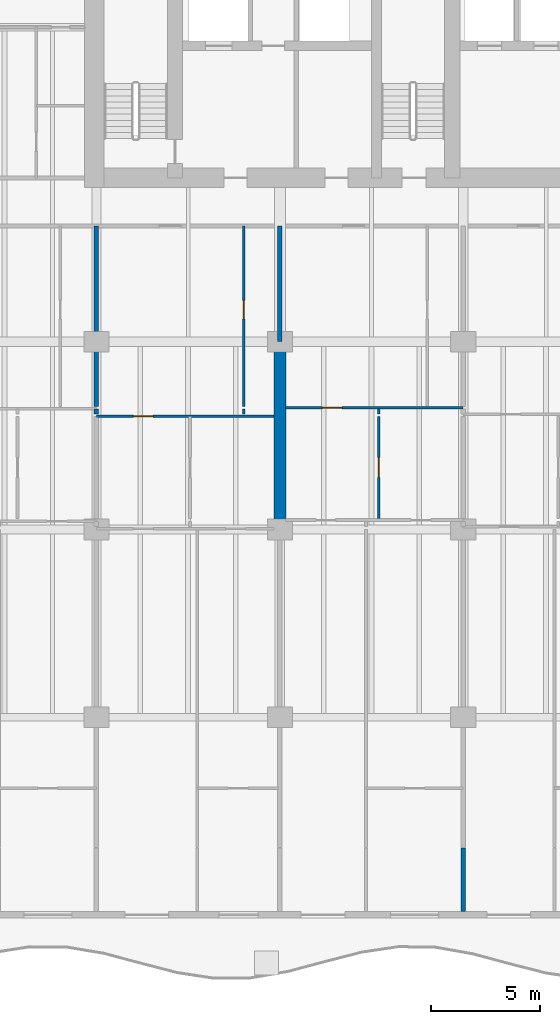
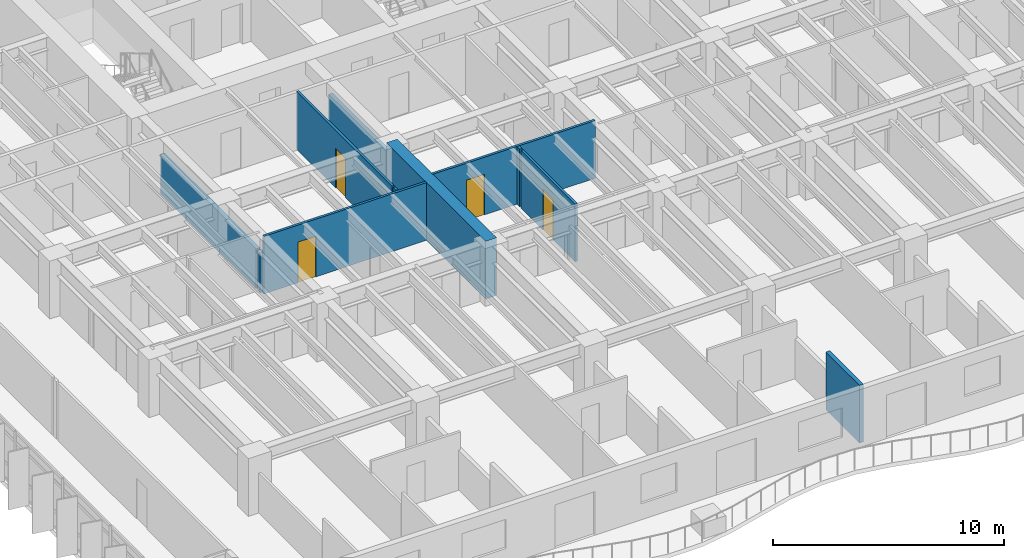
# One storey, part 7 of 19: 11 walls, 4 doors, 4 openings.
"""IFC4 building model written with IfcOpenShell, lengths in metres."""

from ifc_helpers import new_model, si_unit, direction, frame, frame_2d, origin, place, context, subcontext, project, spatial, rectangle, extrude, material, layer, layer_set, type_object, element, fill, save


model = new_model("IFC4")

# Units and contexts
model_context = context("Model", 3, precision=1e-05, world=origin(), true_north=direction((0.0, 1.0)))
body_context = subcontext(model_context, "Body", "Model", "MODEL_VIEW")
ifc_project = project(units=[si_unit("LENGTHUNIT", "METRE"), si_unit("AREAUNIT", "SQUARE_METRE"), si_unit("VOLUMEUNIT", "CUBIC_METRE"), si_unit("PLANEANGLEUNIT", "RADIAN"), si_unit("MASSUNIT", "GRAM", prefix="KILO")], contexts=[model_context])

# Site, building, storey
site_placement = place(None, origin())
site = spatial("IfcSite", under=ifc_project, at=site_placement, CompositionType="ELEMENT")
building_placement = place(site_placement, origin())
building = spatial("IfcBuilding", under=site, at=building_placement, Name="Caelmar Bay Residences", CompositionType="ELEMENT")
storey_placement = place(building_placement, frame((0.0, 0.0, 66.300048828125)))
storey = spatial("IfcBuildingStorey", under=building, at=storey_placement, Name="L17", CompositionType="ELEMENT", Elevation=66.300048828125)

# Walls
ifc_material_1 = material(Name="Concrete f'c 70 MPa (10,000 psi)", Category="concrete")
ifc_layer_1 = layer(ifc_material_1, 0.550048828125)
ifc_layer_set_1 = layer_set([ifc_layer_1], Name="Concrete f'c 70 MPa (10,000 psi)")
wall_type_1 = type_object("IfcWallType", Name="SW-XSLB-550", PredefinedType="SHEAR", material=ifc_layer_set_1)
wall_1_placement = place(storey_placement, frame((26.699951171875, 20.800048828125, 0.0), z_axis=(0.0, 0.0, 1.0), x_axis=(0.0, 1.0, 0.0)))
element("IfcWall", 1, at=wall_1_placement, inside=storey, type_object=wall_type_1, Name="L17 Transverse Cross-Slab Shear Wall W5", PredefinedType="SHEAR", context=body_context, shape_type="SweptSolid", body=[
    extrude(rectangle(XDim=8.599853515625, YDim=0.550048828125, at=frame_2d((4.2998046875, 0.0))), origin(), (0.0, 0.0, 1.0), 3.050048828125),
])
ifc_material_2 = material(Name="Acoustic metal-stud gypsum partition 120 mm")
ifc_layer_2 = layer(ifc_material_2, 0.1201171875)
ifc_layer_set_2 = layer_set([ifc_layer_2], Name="Acoustic metal-stud gypsum partition 120 mm")
wall_type_2 = type_object("IfcWallType", Name="W-PRT-120", PredefinedType="PARTITIONING", material=ifc_layer_set_2)
wall_2_placement = place(storey_placement, frame((25.050048828125, 26.080078125, 0.0), z_axis=(0.0, 0.0, 1.0), x_axis=(0.0, 1.0, 0.0)))
element("IfcWall", 2, at=wall_2_placement, inside=storey, type_object=wall_type_2, Name="L17 Partition Wall V033", PredefinedType="PARTITIONING", context=body_context, shape_type="SweptSolid", body=[
    extrude(rectangle(XDim=0.239990234375, YDim=0.1201171875, at=frame_2d((0.1201171875, 0.0))), origin(), (0.0, 0.0, 1.0), 3.050048828125),
])

# Wall, opening, door
wall_3_placement = place(storey_placement, frame((25.050048828125, 26.43994140625, 0.0), z_axis=(0.0, 0.0, 1.0), x_axis=(0.0, 1.0, 0.0)))
wall_3 = element("IfcWall", 3, at=wall_3_placement, inside=storey, type_object=wall_type_2, Name="L17 Partition Wall V034", PredefinedType="PARTITIONING", context=body_context, shape_type="SweptSolid", body=[
    extrude(rectangle(XDim=8.260009765625, YDim=0.1201171875, at=frame_2d((4.1298828125, 0.0))), origin(), (0.0, 0.0, 1.0), 3.050048828125),
])
opening_1_placement = place(wall_3_placement, frame((4.0048828125, 0.0, 0.0)))
opening_1 = element("IfcOpeningElement", 4, at=opening_1_placement, cuts=wall_3, Name="Opening D-L17-132", PredefinedType="OPENING", context=body_context, shape_type="SweptSolid", body=[
    extrude(rectangle(XDim=0.85009765625, YDim=2.10009765625, at=frame_2d((0.425048828125, 1.050048828125))), frame((0.0, 0.070068359375, 0.0), z_axis=(0.0, -1.0, 0.0), x_axis=(1.0, 0.0, 0.0)), (0.0, 0.0, 1.0), 0.14013671875),
])
ifc_material_3 = material(Name="Solid walnut timber interior door leaf and frame", Category="wood")
ifc_layer_3 = layer(ifc_material_3, 0.050048828125)
ifc_layer_set_3 = layer_set([ifc_layer_3], Name="Solid walnut timber interior door leaf and frame")
door_type_1 = type_object("IfcDoorType", Name="D-BATH-850", OperationType="NOTDEFINED", PredefinedType="DOOR", material=ifc_layer_set_3)
door_1_placement = place(opening_1_placement, origin())
door_1 = element("IfcDoor", 5, at=door_1_placement, inside=storey, type_object=door_type_1, Name="L17 Residence 02 Bathroom Door", OperationType="SINGLE_SWING_LEFT", OverallHeight=2.10009765625, OverallWidth=0.85009765625, PredefinedType="DOOR", context=body_context, shape_type="SweptSolid", body=[
    extrude(rectangle(XDim=0.85009765625, YDim=2.10009765625, at=frame_2d((0.425048828125, 1.050048828125))), frame((0.0, 0.02490234375, 0.0), z_axis=(0.0, -1.0, 0.0), x_axis=(1.0, 0.0, 0.0)), (0.0, 0.0, 1.0), 0.050048828125),
])
fill(opening_1, door_1)

wall_4_placement = place(storey_placement, frame((31.236083984375, 21.2900390625, 0.0), z_axis=(0.0, 0.0, 1.0), x_axis=(0.0, 1.0, 0.0)))
wall_4 = element("IfcWall", 6, at=wall_4_placement, inside=storey, type_object=wall_type_2, Name="L17 Partition Wall V045", PredefinedType="PARTITIONING", context=body_context, shape_type="SweptSolid", body=[
    extrude(rectangle(XDim=4.68994140625, YDim=0.1201171875, at=frame_2d((2.344970703125, 0.0))), origin(), (0.0, 0.0, 1.0), 3.050048828125),
])
opening_2_placement = place(wall_4_placement, frame((1.89501953125, 0.0, 0.0)))
opening_2 = element("IfcOpeningElement", 7, at=opening_2_placement, cuts=wall_4, Name="Opening D-L17-141", PredefinedType="OPENING", context=body_context, shape_type="SweptSolid", body=[
    extrude(rectangle(XDim=0.89990234375, YDim=2.14990234375, at=frame_2d((0.449951171875, 1.074951171875))), frame((0.0, 0.070068359375, 0.0), z_axis=(0.0, -1.0, 0.0), x_axis=(1.0, 0.0, 0.0)), (0.0, 0.0, 1.0), 0.14013671875),
])
ifc_layer_4 = layer(ifc_material_3, 0.050048828125)
ifc_layer_set_4 = layer_set([ifc_layer_4], Name="Solid walnut timber interior door leaf and frame")
door_type_2 = type_object("IfcDoorType", Name="D-ROOM-900", OperationType="NOTDEFINED", PredefinedType="DOOR", material=ifc_layer_set_4)
door_2_placement = place(opening_2_placement, origin())
door_2 = element("IfcDoor", 8, at=door_2_placement, inside=storey, type_object=door_type_2, Name="L17 Residence 03 Study Door", OperationType="SINGLE_SWING_RIGHT", OverallHeight=2.14990234375, OverallWidth=0.89990234375, PredefinedType="DOOR", context=body_context, shape_type="SweptSolid", body=[
    extrude(rectangle(XDim=0.89990234375, YDim=2.14990234375, at=frame_2d((0.449951171875, 1.074951171875))), frame((0.0, 0.02490234375, 0.0), z_axis=(0.0, -1.0, 0.0), x_axis=(1.0, 0.0, 0.0)), (0.0, 0.0, 1.0), 0.050048828125),
])
fill(opening_2, door_2)

# Wall
wall_5_placement = place(storey_placement, frame((31.236083984375, 26.080078125, 0.0), z_axis=(0.0, 0.0, 1.0), x_axis=(0.0, 1.0, 0.0)))
element("IfcWall", 9, at=wall_5_placement, inside=storey, type_object=wall_type_2, Name="L17 Partition Wall V046", PredefinedType="PARTITIONING", context=body_context, shape_type="SweptSolid", body=[
    extrude(rectangle(XDim=0.239990234375, YDim=0.1201171875, at=frame_2d((0.1201171875, 0.0))), origin(), (0.0, 0.0, 1.0), 3.050048828125),
])

# Wall, opening, door
wall_6_placement = place(storey_placement, frame((18.300048828125, 25.97998046875, 0.0), z_axis=(0.0, 0.0, 1.0), x_axis=(1.0, 0.0, 0.0)))
wall_6 = element("IfcWall", 10, at=wall_6_placement, inside=storey, type_object=wall_type_2, Name="L17 Partition Wall H135", PredefinedType="PARTITIONING", context=body_context, shape_type="SweptSolid", body=[
    extrude(rectangle(XDim=8.1298828125, YDim=0.1201171875, at=frame_2d((4.06494140625, 0.0))), origin(), (0.0, 0.0, 1.0), 3.050048828125),
])
opening_3_placement = place(wall_6_placement, frame((1.693115234375, 0.0, 0.0)))
opening_3 = element("IfcOpeningElement", 11, at=opening_3_placement, cuts=wall_6, Name="Opening D-L17-133", PredefinedType="OPENING", context=body_context, shape_type="SweptSolid", body=[
    extrude(rectangle(XDim=0.89990234375, YDim=2.14990234375, at=frame_2d((0.449951171875, 1.074951171875))), frame((0.0, 0.070068359375, 0.0), z_axis=(0.0, -1.0, 0.0), x_axis=(1.0, 0.0, 0.0)), (0.0, 0.0, 1.0), 0.14013671875),
])
door_3_placement = place(opening_3_placement, origin())
door_3 = element("IfcDoor", 12, at=door_3_placement, inside=storey, type_object=door_type_2, Name="L17 Residence 02 Kitchen Door", OperationType="SINGLE_SWING_RIGHT", OverallHeight=2.14990234375, OverallWidth=0.89990234375, PredefinedType="DOOR", context=body_context, shape_type="SweptSolid", body=[
    extrude(rectangle(XDim=0.89990234375, YDim=2.14990234375, at=frame_2d((0.449951171875, 1.074951171875))), frame((0.0, 0.02490234375, 0.0), z_axis=(0.0, -1.0, 0.0), x_axis=(1.0, 0.0, 0.0)), (0.0, 0.0, 1.0), 0.050048828125),
])
fill(opening_3, door_3)

wall_7_placement = place(storey_placement, frame((26.969970703125, 26.3798828125, 0.0), z_axis=(0.0, 0.0, 1.0), x_axis=(1.0, 0.0, 0.0)))
wall_7 = element("IfcWall", 13, at=wall_7_placement, inside=storey, type_object=wall_type_2, Name="L17 Partition Wall H140", PredefinedType="PARTITIONING", context=body_context, shape_type="SweptSolid", body=[
    extrude(rectangle(XDim=8.130126953125, YDim=0.1201171875, at=frame_2d((4.06494140625, 0.0))), origin(), (0.0, 0.0, 1.0), 3.050048828125),
])
opening_4_placement = place(wall_7_placement, frame((1.68310546875, 0.0, 0.0)))
opening_4 = element("IfcOpeningElement", 14, at=opening_4_placement, cuts=wall_7, Name="Opening D-L17-140", PredefinedType="OPENING", context=body_context, shape_type="SweptSolid", body=[
    extrude(rectangle(XDim=0.89990234375, YDim=2.14990234375, at=frame_2d((0.449951171875, 1.074951171875))), frame((0.0, 0.070068359375, 0.0), z_axis=(0.0, -1.0, 0.0), x_axis=(1.0, 0.0, 0.0)), (0.0, 0.0, 1.0), 0.14013671875),
])
door_4_placement = place(opening_4_placement, origin())
door_4 = element("IfcDoor", 15, at=door_4_placement, inside=storey, type_object=door_type_2, Name="L17 Residence 03 Kitchen Door", OperationType="SINGLE_SWING_LEFT", OverallHeight=2.14990234375, OverallWidth=0.89990234375, PredefinedType="DOOR", context=body_context, shape_type="SweptSolid", body=[
    extrude(rectangle(XDim=0.89990234375, YDim=2.14990234375, at=frame_2d((0.449951171875, 1.074951171875))), frame((0.0, 0.02490234375, 0.0), z_axis=(0.0, -1.0, 0.0), x_axis=(1.0, 0.0, 0.0)), (0.0, 0.0, 1.0), 0.050048828125),
])
fill(opening_4, door_4)

# Walls
ifc_material_4 = material(Name="Acoustic twin-stud fire-rated inter-tenancy partition 200 mm")
ifc_layer_5 = layer(ifc_material_4, 0.199951171875)
ifc_layer_set_5 = layer_set([ifc_layer_5], Name="Acoustic twin-stud fire-rated inter-tenancy partition 200 mm")
wall_type_3 = type_object("IfcWallType", Name="W-PTY-200", PredefinedType="PARTITIONING", material=ifc_layer_set_5)
wall_8_placement = place(storey_placement, frame((18.300048828125, 26.080078125, 0.0), z_axis=(0.0, 0.0, 1.0), x_axis=(0.0, 1.0, 0.0)))
element("IfcWall", 16, at=wall_8_placement, inside=storey, type_object=wall_type_3, Name="L17 Partition Wall V026", PredefinedType="PARTITIONING", context=body_context, shape_type="SweptSolid", body=[
    extrude(rectangle(XDim=0.239990234375, YDim=0.199951171875, at=frame_2d((0.1201171875, 0.0))), origin(), (0.0, 0.0, 1.0), 2.10986328125),
])
wall_9_placement = place(storey_placement, frame((18.300048828125, 26.43994140625, 0.0), z_axis=(0.0, 0.0, 1.0), x_axis=(0.0, 1.0, 0.0)))
element("IfcWall", 17, at=wall_9_placement, inside=storey, type_object=wall_type_3, Name="L17 Partition Wall V027", PredefinedType="PARTITIONING", context=body_context, shape_type="SweptSolid", body=[
    extrude(rectangle(XDim=8.260009765625, YDim=0.199951171875, at=frame_2d((4.1298828125, 0.0))), origin(), (0.0, 0.0, 1.0), 2.10986328125),
])
wall_10_placement = place(storey_placement, frame((26.699951171875, 29.405029296875, 0.0), z_axis=(0.0, 0.0, 1.0), x_axis=(0.0, 1.0, 0.0)))
element("IfcWall", 18, at=wall_10_placement, inside=storey, type_object=wall_type_3, Name="L17 Partition Wall V039", PredefinedType="PARTITIONING", context=body_context, shape_type="SweptSolid", body=[
    extrude(rectangle(XDim=5.294921875, YDim=0.199951171875, at=frame_2d((2.6474609375, 0.0))), origin(), (0.0, 0.0, 1.0), 2.3349609375),
])
wall_11_placement = place(storey_placement, frame((35.10009765625, 3.294921875, 0.0), z_axis=(0.0, 0.0, 1.0), x_axis=(0.0, 1.0, 0.0)))
element("IfcWall", 19, at=wall_11_placement, inside=storey, type_object=wall_type_3, Name="L17 Partition Wall V049", PredefinedType="PARTITIONING", context=body_context, shape_type="SweptSolid", body=[
    extrude(rectangle(XDim=2.905029296875, YDim=0.199951171875, at=frame_2d((1.45263671875, 0.0))), origin(), (0.0, 0.0, 1.0), 3.050048828125),
])

save(model, "model.ifc")
